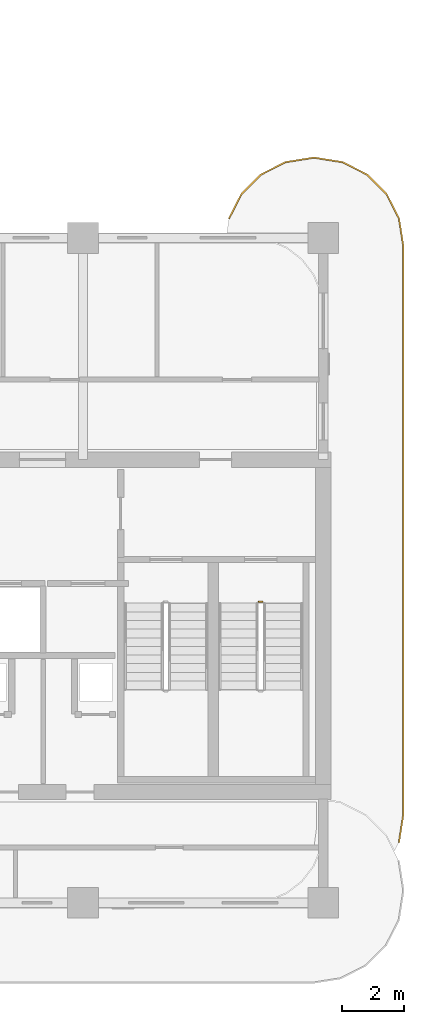
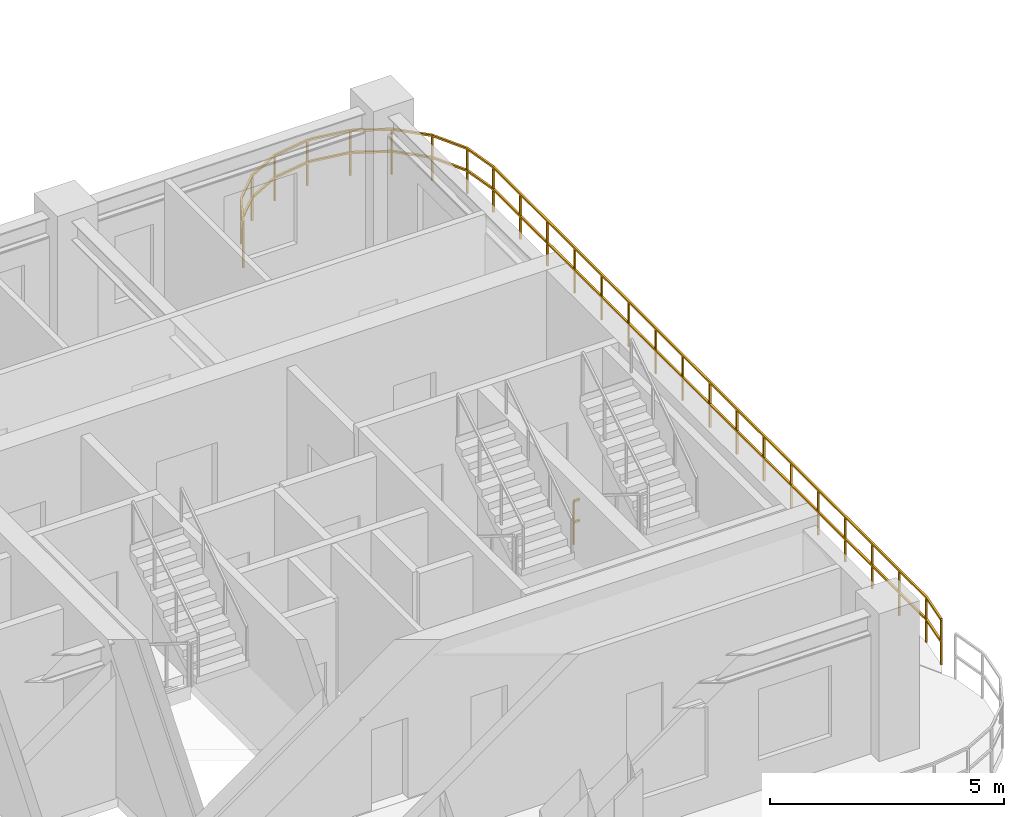
# One storey, part 18 of 20: 2 railings.
"""IFC4 building model written with IfcOpenShell, lengths in metres."""

from ifc_helpers import new_model, si_unit, derived_unit, direction, frame, origin, origin_2d, place, context, subcontext, project, spatial, rectangle, extrude, material, type_object, element, save


model = new_model("IFC4")

# Units and contexts
model_context = context("Model", 3, precision=1e-05, world=origin(), true_north=direction((0.0, 1.0)))
body_context = subcontext(model_context, "Body", "Model", "MODEL_VIEW")
ifc_project = project(units=[si_unit("LENGTHUNIT", "METRE"), si_unit("AREAUNIT", "SQUARE_METRE"), si_unit("VOLUMEUNIT", "CUBIC_METRE"), si_unit("PLANEANGLEUNIT", "RADIAN"), si_unit("MASSUNIT", "GRAM", prefix="KILO"), si_unit("THERMODYNAMICTEMPERATUREUNIT", "KELVIN"), si_unit("POWERUNIT", "WATT"), derived_unit("THERMALTRANSMITTANCEUNIT", [(si_unit("POWERUNIT", "WATT"), 1), (si_unit("AREAUNIT", "SQUARE_METRE"), -1), (si_unit("THERMODYNAMICTEMPERATUREUNIT", "KELVIN"), -1)])], contexts=[model_context])

# Site, building, storey
site_placement = place(None, origin())
site = spatial("IfcSite", under=ifc_project, at=site_placement, CompositionType="ELEMENT")
building_placement = place(site_placement, origin())
building = spatial("IfcBuilding", under=site, at=building_placement, Name="Zahravan Archway Hotel and Residences", CompositionType="ELEMENT")
storey_placement = place(building_placement, frame((0.0, 0.0, 154.14990234375)))
storey = spatial("IfcBuildingStorey", under=building, at=storey_placement, Name="L38", CompositionType="ELEMENT", Elevation=154.14990234375)

# Railings
ifc_material_1 = material(Name="Bronze & Laminated Glass Balustrade", Category="glass")
railing_type_1 = type_object("IfcRailingType", Name="RL-BAL-1200", PredefinedType="BALUSTRADE", material=ifc_material_1)
railing_1_placement = place(storey_placement, frame((46.739501953125, 22.230712890625, 0.0)))
element("IfcRailing", 1, at=railing_1_placement, inside=storey, type_object=railing_type_1, Name="L38 Balustrade RL-SLB-BAL-L38-EA-1", PredefinedType="BALUSTRADE", context=body_context, shape_type="SweptSolid", body=[
    extrude(rectangle(XDim=0.048095703125, YDim=0.048095703125, at=origin_2d()), frame((0.0, 0.0, 1.17578125), z_axis=(0.453991409995, 0.891006060389, 0.0), x_axis=(-0.891006060389, 0.453991409995, 0.0)), (0.0, 0.0, 1.0), 0.8916015625),
    extrude(rectangle(XDim=0.048095703125, YDim=0.048095703125, at=origin_2d()), frame((0.0, 0.0, 0.60009765625), z_axis=(0.453991409995, 0.891006060389, 0.0), x_axis=(-0.891006060389, 0.453991409995, 0.0)), (0.0, 0.0, 1.0), 0.8916015625),
    extrude(rectangle(XDim=0.048095703125, YDim=0.048095703125, at=origin_2d()), frame((0.40478515625, 0.79443359375, 1.17578125), z_axis=(0.707106781187, 0.707106781187, 0.0), x_axis=(-0.707106781187, 0.707106781187, 0.0)), (0.0, 0.0, 1.0), 0.891845703125),
    extrude(rectangle(XDim=0.048095703125, YDim=0.048095703125, at=origin_2d()), frame((0.40478515625, 0.79443359375, 0.60009765625), z_axis=(0.707106781187, 0.707106781187, 0.0), x_axis=(-0.707106781187, 0.707106781187, 0.0)), (0.0, 0.0, 1.0), 0.891845703125),
    extrude(rectangle(XDim=0.048095703125, YDim=0.048095703125, at=origin_2d()), frame((1.035400390625, 1.425048828125, 1.17578125), z_axis=(0.891006060389, 0.453991409995, 0.0), x_axis=(-0.453991409995, 0.891006060389, 0.0)), (0.0, 0.0, 1.0), 0.8916015625),
    extrude(rectangle(XDim=0.048095703125, YDim=0.048095703125, at=origin_2d()), frame((1.035400390625, 1.425048828125, 0.60009765625), z_axis=(0.891006060389, 0.453991409995, 0.0), x_axis=(-0.453991409995, 0.891006060389, 0.0)), (0.0, 0.0, 1.0), 0.8916015625),
    extrude(rectangle(XDim=0.048095703125, YDim=0.048095703125, at=origin_2d()), frame((1.829833984375, 1.829833984375, 1.17578125), z_axis=(0.987700720307, 0.156356282588, 0.0), x_axis=(-0.156356282588, 0.987700720307, 0.0)), (0.0, 0.0, 1.0), 0.8916015625),
    extrude(rectangle(XDim=0.048095703125, YDim=0.048095703125, at=origin_2d()), frame((1.829833984375, 1.829833984375, 0.60009765625), z_axis=(0.987700720307, 0.156356282588, 0.0), x_axis=(-0.156356282588, 0.987700720307, 0.0)), (0.0, 0.0, 1.0), 0.8916015625),
    extrude(rectangle(XDim=0.048095703125, YDim=0.048095703125, at=origin_2d()), frame((2.71044921875, 1.96923828125, 1.17578125), z_axis=(1.0, 0.0, 0.0), x_axis=(0.0, 1.0, 0.0)), (0.0, 0.0, 1.0), 0.10009765625),
    extrude(rectangle(XDim=0.048095703125, YDim=0.048095703125, at=origin_2d()), frame((2.71044921875, 1.96923828125, 0.60009765625), z_axis=(1.0, 0.0, 0.0), x_axis=(0.0, 1.0, 0.0)), (0.0, 0.0, 1.0), 0.10009765625),
    extrude(rectangle(XDim=0.048095703125, YDim=0.048095703125, at=origin_2d()), frame((2.810546875, 1.96923828125, 1.17578125), z_axis=(0.987700720307, -0.156356282588, 0.0), x_axis=(0.156356282588, 0.987700720307, 0.0)), (0.0, 0.0, 1.0), 0.8916015625),
    extrude(rectangle(XDim=0.048095703125, YDim=0.048095703125, at=origin_2d()), frame((2.810546875, 1.96923828125, 0.60009765625), z_axis=(0.987700720307, -0.156356282588, 0.0), x_axis=(0.156356282588, 0.987700720307, 0.0)), (0.0, 0.0, 1.0), 0.8916015625),
    extrude(rectangle(XDim=0.048095703125, YDim=0.048095703125, at=origin_2d()), frame((3.691162109375, 1.829833984375, 1.17578125), z_axis=(0.891006060389, -0.453991409995, 0.0), x_axis=(0.453991409995, 0.891006060389, 0.0)), (0.0, 0.0, 1.0), 0.8916015625),
    extrude(rectangle(XDim=0.048095703125, YDim=0.048095703125, at=origin_2d()), frame((3.691162109375, 1.829833984375, 0.60009765625), z_axis=(0.891006060389, -0.453991409995, 0.0), x_axis=(0.453991409995, 0.891006060389, 0.0)), (0.0, 0.0, 1.0), 0.8916015625),
    extrude(rectangle(XDim=0.048095703125, YDim=0.048095703125, at=origin_2d()), frame((4.485595703125, 1.425048828125, 1.17578125), z_axis=(0.707106781187, -0.707106781187, 0.0), x_axis=(0.707106781187, 0.707106781187, 0.0)), (0.0, 0.0, 1.0), 0.891845703125),
    extrude(rectangle(XDim=0.048095703125, YDim=0.048095703125, at=origin_2d()), frame((4.485595703125, 1.425048828125, 0.60009765625), z_axis=(0.707106781187, -0.707106781187, 0.0), x_axis=(0.707106781187, 0.707106781187, 0.0)), (0.0, 0.0, 1.0), 0.891845703125),
    extrude(rectangle(XDim=0.048095703125, YDim=0.048095703125, at=origin_2d()), frame((5.1162109375, 0.79443359375, 1.17578125), z_axis=(0.453991409995, -0.891006060389, 0.0), x_axis=(0.891006060389, 0.453991409995, 0.0)), (0.0, 0.0, 1.0), 0.8916015625),
    extrude(rectangle(XDim=0.048095703125, YDim=0.048095703125, at=origin_2d()), frame((5.1162109375, 0.79443359375, 0.60009765625), z_axis=(0.453991409995, -0.891006060389, 0.0), x_axis=(0.891006060389, 0.453991409995, 0.0)), (0.0, 0.0, 1.0), 0.8916015625),
    extrude(rectangle(XDim=0.048095703125, YDim=0.048095703125, at=origin_2d()), frame((5.52099609375, 0.0, 1.17578125), z_axis=(0.156356282588, -0.987700720307, 0.0), x_axis=(0.987700720307, 0.156356282588, 0.0)), (0.0, 0.0, 1.0), 0.8916015625),
    extrude(rectangle(XDim=0.048095703125, YDim=0.048095703125, at=origin_2d()), frame((5.52099609375, 0.0, 0.60009765625), z_axis=(0.156356282588, -0.987700720307, 0.0), x_axis=(0.987700720307, 0.156356282588, 0.0)), (0.0, 0.0, 1.0), 0.8916015625),
    extrude(rectangle(XDim=0.048095703125, YDim=0.048095703125, at=origin_2d()), frame((5.660400390625, -0.880615234375, 1.17578125), z_axis=(0.0, -1.0, 0.0), x_axis=(1.0, 0.0, 0.0)), (0.0, 0.0, 1.0), 18.5),
    extrude(rectangle(XDim=0.048095703125, YDim=0.048095703125, at=origin_2d()), frame((5.660400390625, -0.880615234375, 0.60009765625), z_axis=(0.0, -1.0, 0.0), x_axis=(1.0, 0.0, 0.0)), (0.0, 0.0, 1.0), 18.5),
    extrude(rectangle(XDim=0.048095703125, YDim=0.048095703125, at=origin_2d()), frame((5.660400390625, -19.380615234375, 1.17578125), z_axis=(-0.156314005608, -0.987707411965, 0.0), x_axis=(0.987707411965, -0.156314005608, 0.0)), (0.0, 0.0, 1.0), 0.891845703125),
    extrude(rectangle(XDim=0.048095703125, YDim=0.048095703125, at=origin_2d()), frame((5.660400390625, -19.380615234375, 0.60009765625), z_axis=(-0.156314005608, -0.987707411965, 0.0), x_axis=(0.987707411965, -0.156314005608, 0.0)), (0.0, 0.0, 1.0), 0.891845703125),
    extrude(rectangle(XDim=0.0419921875, YDim=0.0419921875, at=origin_2d()), origin(), (0.0, 0.0, 1.0), 1.15185546875),
    extrude(rectangle(XDim=0.0419921875, YDim=0.0419921875, at=origin_2d()), frame((0.40478515625, 0.79443359375, 0.0)), (0.0, 0.0, 1.0), 1.15185546875),
    extrude(rectangle(XDim=0.0419921875, YDim=0.0419921875, at=origin_2d()), frame((1.035400390625, 1.425048828125, 0.0)), (0.0, 0.0, 1.0), 1.15185546875),
    extrude(rectangle(XDim=0.0419921875, YDim=0.0419921875, at=origin_2d()), frame((1.829833984375, 1.829833984375, 0.0)), (0.0, 0.0, 1.0), 1.15185546875),
    extrude(rectangle(XDim=0.0419921875, YDim=0.0419921875, at=origin_2d()), frame((2.71044921875, 1.96923828125, 0.0)), (0.0, 0.0, 1.0), 1.15185546875),
    extrude(rectangle(XDim=0.0419921875, YDim=0.0419921875, at=origin_2d()), frame((3.691162109375, 1.829833984375, 0.0)), (0.0, 0.0, 1.0), 1.15185546875),
    extrude(rectangle(XDim=0.0419921875, YDim=0.0419921875, at=origin_2d()), frame((4.485595703125, 1.425048828125, 0.0)), (0.0, 0.0, 1.0), 1.15185546875),
    extrude(rectangle(XDim=0.0419921875, YDim=0.0419921875, at=origin_2d()), frame((5.1162109375, 0.79443359375, 0.0)), (0.0, 0.0, 1.0), 1.15185546875),
    extrude(rectangle(XDim=0.0419921875, YDim=0.0419921875, at=origin_2d()), frame((5.52099609375, 0.0, 0.0)), (0.0, 0.0, 1.0), 1.15185546875),
    extrude(rectangle(XDim=0.0419921875, YDim=0.0419921875, at=origin_2d()), frame((5.660400390625, -0.880615234375, 0.0)), (0.0, 0.0, 1.0), 1.15185546875),
    extrude(rectangle(XDim=0.0419921875, YDim=0.0419921875, at=origin_2d()), frame((5.660400390625, -2.036865234375, 0.0)), (0.0, 0.0, 1.0), 1.15185546875),
    extrude(rectangle(XDim=0.0419921875, YDim=0.0419921875, at=origin_2d()), frame((5.660400390625, -3.193115234375, 0.0)), (0.0, 0.0, 1.0), 1.15185546875),
    extrude(rectangle(XDim=0.0419921875, YDim=0.0419921875, at=origin_2d()), frame((5.660400390625, -4.349365234375, 0.0)), (0.0, 0.0, 1.0), 1.15185546875),
    extrude(rectangle(XDim=0.0419921875, YDim=0.0419921875, at=origin_2d()), frame((5.660400390625, -5.505615234375, 0.0)), (0.0, 0.0, 1.0), 1.15185546875),
    extrude(rectangle(XDim=0.0419921875, YDim=0.0419921875, at=origin_2d()), frame((5.660400390625, -6.661865234375, 0.0)), (0.0, 0.0, 1.0), 1.15185546875),
    extrude(rectangle(XDim=0.0419921875, YDim=0.0419921875, at=origin_2d()), frame((5.660400390625, -7.818115234375, 0.0)), (0.0, 0.0, 1.0), 1.15185546875),
    extrude(rectangle(XDim=0.0419921875, YDim=0.0419921875, at=origin_2d()), frame((5.660400390625, -8.974365234375, 0.0)), (0.0, 0.0, 1.0), 1.15185546875),
    extrude(rectangle(XDim=0.0419921875, YDim=0.0419921875, at=origin_2d()), frame((5.660400390625, -10.130615234375, 0.0)), (0.0, 0.0, 1.0), 1.15185546875),
    extrude(rectangle(XDim=0.0419921875, YDim=0.0419921875, at=origin_2d()), frame((5.660400390625, -11.286865234375, 0.0)), (0.0, 0.0, 1.0), 1.15185546875),
    extrude(rectangle(XDim=0.0419921875, YDim=0.0419921875, at=origin_2d()), frame((5.660400390625, -12.443115234375, 0.0)), (0.0, 0.0, 1.0), 1.15185546875),
    extrude(rectangle(XDim=0.0419921875, YDim=0.0419921875, at=origin_2d()), frame((5.660400390625, -13.599365234375, 0.0)), (0.0, 0.0, 1.0), 1.15185546875),
    extrude(rectangle(XDim=0.0419921875, YDim=0.0419921875, at=origin_2d()), frame((5.660400390625, -14.755615234375, 0.0)), (0.0, 0.0, 1.0), 1.15185546875),
    extrude(rectangle(XDim=0.0419921875, YDim=0.0419921875, at=origin_2d()), frame((5.660400390625, -15.911865234375, 0.0)), (0.0, 0.0, 1.0), 1.15185546875),
    extrude(rectangle(XDim=0.0419921875, YDim=0.0419921875, at=origin_2d()), frame((5.660400390625, -17.068115234375, 0.0)), (0.0, 0.0, 1.0), 1.15185546875),
    extrude(rectangle(XDim=0.0419921875, YDim=0.0419921875, at=origin_2d()), frame((5.660400390625, -18.224365234375, 0.0)), (0.0, 0.0, 1.0), 1.15185546875),
    extrude(rectangle(XDim=0.0419921875, YDim=0.0419921875, at=origin_2d()), frame((5.660400390625, -19.380615234375, 0.0)), (0.0, 0.0, 1.0), 1.15185546875),
    extrude(rectangle(XDim=0.0419921875, YDim=0.0419921875, at=origin_2d()), frame((5.52099609375, -20.261474609375, 0.0)), (0.0, 0.0, 1.0), 1.15185546875),
])
ifc_material_2 = material(Name="Painted Tubular Steel", Category="steel")
railing_type_2 = type_object("IfcRailingType", Name="RL-STG-1150", PredefinedType="GUARDRAIL", material=ifc_material_2)
railing_2_placement = place(storey_placement, frame((47.699951171875, 9.780029296875, 0.0)))
element("IfcRailing", 2, at=railing_2_placement, inside=storey, type_object=railing_type_2, Name="L38 ST-A3 stair guard 4", PredefinedType="GUARDRAIL", context=body_context, shape_type="SweptSolid", body=[
    extrude(rectangle(XDim=0.048095703125, YDim=0.048095703125, at=origin_2d()), frame((0.0, 0.0, 1.1259765625), z_axis=(1.0, 0.0, 0.0), x_axis=(0.0, 1.0, 0.0)), (0.0, 0.0, 1.0), 0.14013671875),
    extrude(rectangle(XDim=0.048095703125, YDim=0.048095703125, at=origin_2d()), frame((0.0, 0.0, 0.574951171875), z_axis=(1.0, 0.0, 0.0), x_axis=(0.0, 1.0, 0.0)), (0.0, 0.0, 1.0), 0.14013671875),
    extrude(rectangle(XDim=0.0419921875, YDim=0.0419921875, at=origin_2d()), origin(), (0.0, 0.0, 1.0), 1.101806640625),
])

save(model, "model.ifc")
